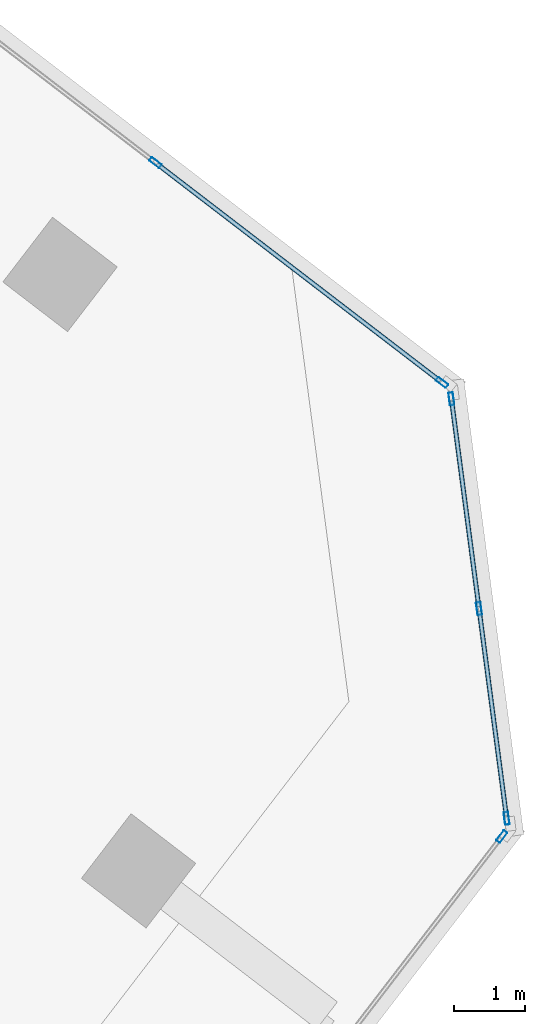
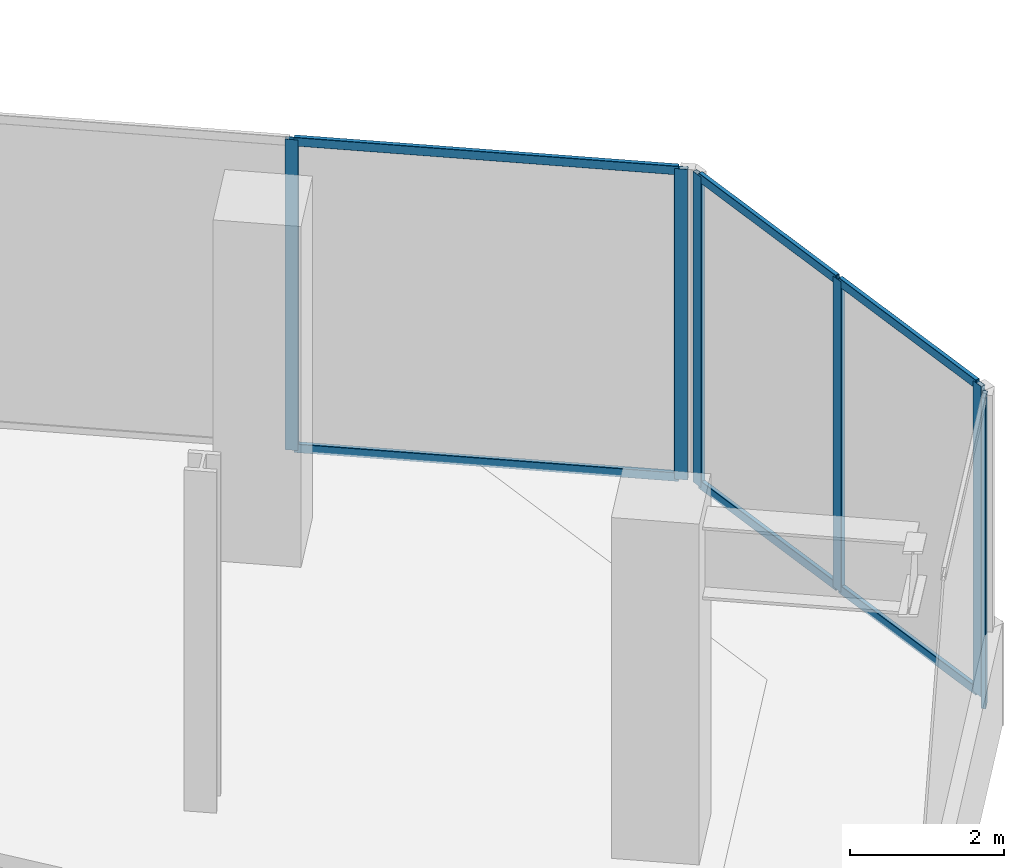
# One storey, part 10 of 23: 12 members, 3 elements without a shape of their own.
"""IFC4 building model written with IfcOpenShell, lengths in metres."""

from ifc_helpers import new_model, si_unit, direction, frame, origin, origin_2d, place, context, subcontext, project, spatial, hollow_rectangle, extrude, source, transform, mapped, material, material_profile, profile_set, type_object, element, aggregate, save


model = new_model("IFC4")

# Units and contexts
model_context = context("Model", 3, precision=1e-05, world=origin(), true_north=direction((0.0, 1.0)))
body_context = subcontext(model_context, "Body", "Model", "MODEL_VIEW")
ifc_project = project(units=[si_unit("LENGTHUNIT", "METRE"), si_unit("AREAUNIT", "SQUARE_METRE"), si_unit("VOLUMEUNIT", "CUBIC_METRE"), si_unit("PLANEANGLEUNIT", "RADIAN"), si_unit("MASSUNIT", "GRAM", prefix="KILO")], contexts=[model_context])

# Site, building, storey
site_placement = place(None, origin())
site = spatial("IfcSite", under=ifc_project, at=site_placement, CompositionType="ELEMENT")
building_placement = place(site_placement, origin())
building = spatial("IfcBuilding", under=site, at=building_placement, Name="Torre Montelarca", CompositionType="ELEMENT")
storey_placement = place(building_placement, frame((0.0, 0.0, 204.39990234375)))
storey = spatial("IfcBuildingStorey", under=building, at=storey_placement, Name="L46", CompositionType="ELEMENT", Elevation=204.39990234375)

# Curtain wall, members
ifc_material_1 = material(Name="Insulated low-E laminated glass", Category="glass")
curtain_wall_type = type_object("IfcCurtainWallType", Name="CW-SYS-Z2", PredefinedType="USERDEFINED", material=ifc_material_1)
curtain_wall_1_placement = place(storey_placement, origin())
curtain_wall_1 = element("IfcCurtainWall", 1, at=curtain_wall_1_placement, inside=storey, type_object=curtain_wall_type, Name="L46 Curtain Wall Run CW-T3-L46-E07-B1", ObjectType="UNITISED GLAZING", PredefinedType="USERDEFINED")
ifc_material_2 = material(Name="Anodised aluminium AA 6063-T6", Category="aluminium")
ifc_material_profile_1 = material_profile(ifc_material_2, hollow_rectangle(XDim=0.06494140625, YDim=0.139892578125, WallThickness=0.00390625, InnerFilletRadius=0.00390625, OuterFilletRadius=0.008056640625, at=origin_2d()), Name="ALU65X140X4", Category="aluminium")
ifc_profile_set_1 = profile_set([ifc_material_profile_1], Name="Anodised aluminium AA 6063-T6")
member_type_1 = type_object("IfcMemberType", Name="CWT-ALU140", PredefinedType="USERDEFINED", material=ifc_profile_set_1)
shared_shape_1 = source(origin(), body_context, "Body", "SweptSolid", [
    extrude(hollow_rectangle(XDim=0.06494140625, YDim=0.139892578125, WallThickness=0.00390625, InnerFilletRadius=0.00390625, OuterFilletRadius=0.008056640625, at=origin_2d()), origin(), (0.0, 0.0, 1.0), 2.918701171875),
])
member_1_placement = place(storey_placement, frame((52.19189453125, 25.94580078125, 0.03271484375), z_axis=(-0.130486968547, 0.991450024479, 0.0), x_axis=(-0.991450024479, -0.130486968547, 0.0)))
member_1 = element("IfcMember", 2, at=member_1_placement, type_object=member_type_1, Name="CW transom 2.1", ObjectType="TRANSOM", PredefinedType="USERDEFINED", context=body_context, shape_type="MappedRepresentation", body=[
    mapped(shared_shape_1, transform((0.0, 0.0, 0.0), scale=1.0)),
])
member_2_placement = place(storey_placement, frame((52.19189453125, 25.94580078125, 4.8876953125), z_axis=(-0.130486968547, 0.991450024479, 0.0), x_axis=(-0.991450024479, -0.130486968547, 0.0)))
member_2 = element("IfcMember", 3, at=member_2_placement, type_object=member_type_1, Name="CW transom 2.2", ObjectType="TRANSOM", PredefinedType="USERDEFINED", context=body_context, shape_type="MappedRepresentation", body=[
    mapped(shared_shape_1, transform((0.0, 0.0, 0.0), scale=1.0)),
])
shared_shape_2 = source(origin(), body_context, "Body", "SweptSolid", [
    extrude(hollow_rectangle(XDim=0.06494140625, YDim=0.139892578125, WallThickness=0.00390625, InnerFilletRadius=0.00390625, OuterFilletRadius=0.008056640625, at=origin_2d()), origin(), (0.0, 0.0, 1.0), 2.91845703125),
])
member_3_placement = place(storey_placement, frame((52.581298828125, 22.98779296875, 0.03271484375), z_axis=(-0.130497790763, 0.991448600083, 0.0), x_axis=(-0.991448600083, -0.130497790763, 0.0)))
member_3 = element("IfcMember", 4, at=member_3_placement, type_object=member_type_1, Name="CW transom 1.1", ObjectType="TRANSOM", PredefinedType="USERDEFINED", context=body_context, shape_type="MappedRepresentation", body=[
    mapped(shared_shape_2, transform((0.0, 0.0, 0.0), scale=1.0)),
])
member_4_placement = place(storey_placement, frame((52.581298828125, 22.98779296875, 4.8876953125), z_axis=(-0.130497790763, 0.991448600083, 0.0), x_axis=(-0.991448600083, -0.130497790763, 0.0)))
member_4 = element("IfcMember", 5, at=member_4_placement, type_object=member_type_1, Name="CW transom 1.2", ObjectType="TRANSOM", PredefinedType="USERDEFINED", context=body_context, shape_type="MappedRepresentation", body=[
    mapped(shared_shape_2, transform((0.0, 0.0, 0.0), scale=1.0)),
])

# Curtain wall, member
curtain_wall_2_placement = place(storey_placement, origin())
curtain_wall_2 = element("IfcCurtainWall", 6, at=curtain_wall_2_placement, inside=storey, type_object=curtain_wall_type, Name="L46 Curtain Wall Run CW-T3-L46-E06-B1", ObjectType="UNITISED GLAZING", PredefinedType="USERDEFINED")
ifc_material_profile_2 = material_profile(ifc_material_2, hollow_rectangle(XDim=0.06494140625, YDim=0.179931640625, WallThickness=0.00390625, InnerFilletRadius=0.00390625, OuterFilletRadius=0.008056640625, at=origin_2d()), Name="ALU65X180X4", Category="aluminium")
ifc_profile_set_2 = profile_set([ifc_material_profile_2], Name="Anodised aluminium AA 6063-T6")
member_type_2 = type_object("IfcMemberType", Name="CWM-ALU180", PredefinedType="MULLION", material=ifc_profile_set_2)
shared_shape_3 = source(origin(), body_context, "Body", "SweptSolid", [
    extrude(hollow_rectangle(XDim=0.06494140625, YDim=0.179931640625, WallThickness=0.00390625, InnerFilletRadius=0.00390625, OuterFilletRadius=0.008056640625, at=origin_2d()), origin(), (0.0, 0.0, 1.0), 4.920166015625),
])
member_5_placement = place(storey_placement, frame((52.5166015625, 22.69775390625, 0.0), z_axis=(0.0, 0.0, 1.0), x_axis=(-0.793353125775, 0.608761708572, 0.0)))
member_5 = element("IfcMember", 7, at=member_5_placement, type_object=member_type_2, Name="CW mullion 3", PredefinedType="MULLION", context=body_context, shape_type="MappedRepresentation", body=[
    mapped(shared_shape_3, transform((0.0, 0.0, 0.0), scale=1.0)),
])
aggregate(curtain_wall_2, [member_5])

# Member
member_6_placement = place(storey_placement, frame((52.585693359375, 22.95556640625, 0.0), z_axis=(0.0, 0.0, 1.0), x_axis=(-0.991446450787, -0.130514118862, 0.0)))
member_6 = element("IfcMember", 8, at=member_6_placement, type_object=member_type_2, Name="CW mullion 1", PredefinedType="MULLION", context=body_context, shape_type="MappedRepresentation", body=[
    mapped(shared_shape_3, transform((0.0, 0.0, 0.0), scale=1.0)),
])

member_7_placement = place(storey_placement, frame((52.1962890625, 25.91357421875, 0.0), z_axis=(0.0, 0.0, 1.0), x_axis=(-0.991446450787, -0.130514118862, 0.0)))
member_7 = element("IfcMember", 9, at=member_7_placement, type_object=member_type_2, Name="CW mullion 2", PredefinedType="MULLION", context=body_context, shape_type="MappedRepresentation", body=[
    mapped(shared_shape_3, transform((0.0, 0.0, 0.0), scale=1.0)),
])

member_8_placement = place(storey_placement, frame((51.806884765625, 28.871826171875, 0.0), z_axis=(0.0, 0.0, 1.0), x_axis=(-0.991446450787, -0.130514118862, 0.0)))
member_8 = element("IfcMember", 10, at=member_8_placement, type_object=member_type_2, Name="CW mullion 3", PredefinedType="MULLION", context=body_context, shape_type="MappedRepresentation", body=[
    mapped(shared_shape_3, transform((0.0, 0.0, 0.0), scale=1.0)),
])

aggregate(curtain_wall_1, [member_6, member_7, member_8, member_3, member_4, member_1, member_2])

# Curtain wall, members
curtain_wall_3_placement = place(storey_placement, origin())
curtain_wall_3 = element("IfcCurtainWall", 11, at=curtain_wall_3_placement, inside=storey, type_object=curtain_wall_type, Name="L46 Curtain Wall Run CW-T3-L46-E08-B1", ObjectType="UNITISED GLAZING", PredefinedType="USERDEFINED")
member_9_placement = place(storey_placement, frame((51.67333984375, 29.10302734375, 0.0), z_axis=(0.0, 0.0, 1.0), x_axis=(-0.60875783745, -0.793356096178, 0.0)))
member_9 = element("IfcMember", 12, at=member_9_placement, type_object=member_type_2, Name="CW mullion 1", PredefinedType="MULLION", context=body_context, shape_type="MappedRepresentation", body=[
    mapped(shared_shape_3, transform((0.0, 0.0, 0.0), scale=1.0)),
])
member_10_placement = place(storey_placement, frame((47.631591796875, 32.204345703125, 0.0), z_axis=(0.0, 0.0, 1.0), x_axis=(-0.60875783745, -0.793356096178, 0.0)))
member_10 = element("IfcMember", 13, at=member_10_placement, type_object=member_type_2, Name="CW mullion 2", PredefinedType="MULLION", context=body_context, shape_type="MappedRepresentation", body=[
    mapped(shared_shape_3, transform((0.0, 0.0, 0.0), scale=1.0)),
])
shared_shape_4 = source(origin(), body_context, "Body", "SweptSolid", [
    extrude(hollow_rectangle(XDim=0.06494140625, YDim=0.139892578125, WallThickness=0.00390625, InnerFilletRadius=0.00390625, OuterFilletRadius=0.008056640625, at=origin_2d()), origin(), (0.0, 0.0, 1.0), 5.029541015625),
])
member_11_placement = place(storey_placement, frame((51.6474609375, 29.122802734375, 0.03271484375), z_axis=(-0.793357848278, 0.608755554041, 0.0), x_axis=(-0.608755554041, -0.793357848278, 0.0)))
member_11 = element("IfcMember", 14, at=member_11_placement, type_object=member_type_1, Name="CW transom 1.1", ObjectType="TRANSOM", PredefinedType="USERDEFINED", context=body_context, shape_type="MappedRepresentation", body=[
    mapped(shared_shape_4, transform((0.0, 0.0, 0.0), scale=1.0)),
])
member_12_placement = place(storey_placement, frame((51.6474609375, 29.122802734375, 4.8876953125), z_axis=(-0.793357848278, 0.608755554041, 0.0), x_axis=(-0.608755554041, -0.793357848278, 0.0)))
member_12 = element("IfcMember", 15, at=member_12_placement, type_object=member_type_1, Name="CW transom 1.2", ObjectType="TRANSOM", PredefinedType="USERDEFINED", context=body_context, shape_type="MappedRepresentation", body=[
    mapped(shared_shape_4, transform((0.0, 0.0, 0.0), scale=1.0)),
])
aggregate(curtain_wall_3, [member_9, member_10, member_11, member_12])

save(model, "model.ifc")
